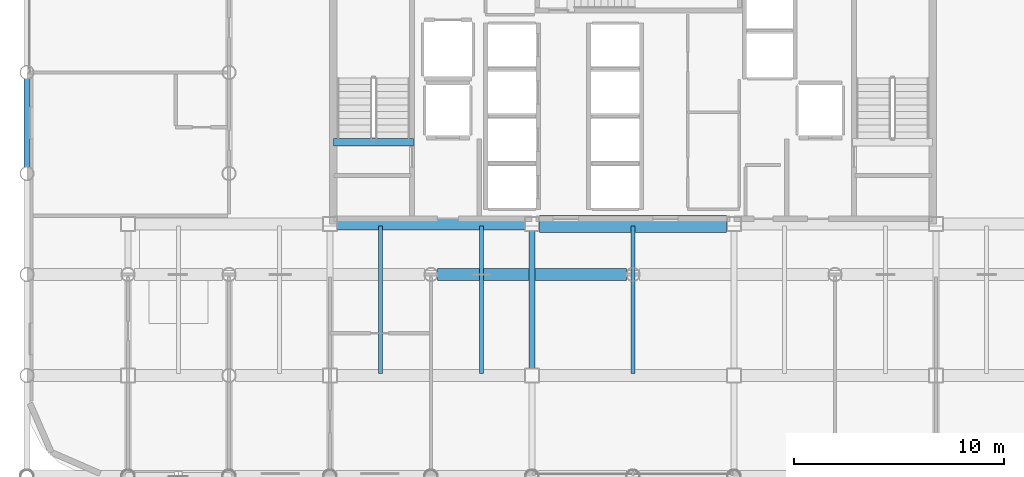
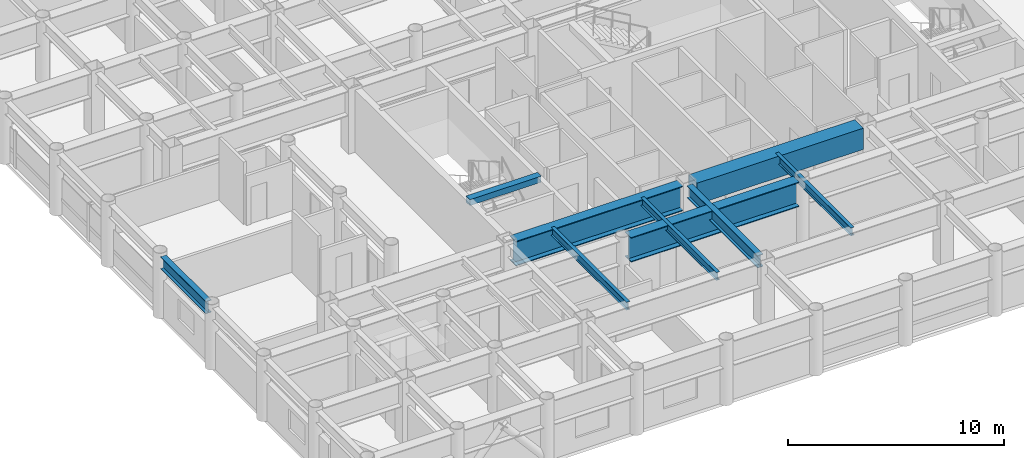
# One storey, part 4 of 22: 9 beams.
"""IFC4 building model written with IfcOpenShell, lengths in metres."""

from ifc_helpers import new_model, si_unit, direction, frame, origin, origin_2d, place, context, subcontext, project, spatial, rectangle, i_section, extrude, material, material_profile, profile_set, type_object, element, save


model = new_model("IFC4")

# Units and contexts
model_context = context("Model", 3, precision=1e-05, world=origin(), true_north=direction((0.0, 1.0)))
body_context = subcontext(model_context, "Body", "Model", "MODEL_VIEW")
ifc_project = project(units=[si_unit("LENGTHUNIT", "METRE"), si_unit("AREAUNIT", "SQUARE_METRE"), si_unit("VOLUMEUNIT", "CUBIC_METRE"), si_unit("PLANEANGLEUNIT", "RADIAN"), si_unit("MASSUNIT", "GRAM", prefix="KILO")], contexts=[model_context])

# Site, building, storey
site_placement = place(None, origin())
site = spatial("IfcSite", under=ifc_project, at=site_placement, CompositionType="ELEMENT")
building_placement = place(site_placement, origin())
building = spatial("IfcBuilding", under=site, at=building_placement, Name="Kallvorn Hotel Tower", CompositionType="ELEMENT")
storey_placement = place(building_placement, frame((0.0, 0.0, 95.199951171875)))
storey = spatial("IfcBuildingStorey", under=building, at=storey_placement, Name="L22", CompositionType="ELEMENT", Elevation=95.199951171875)

# Beams
ifc_material_1 = material(Name="Structural steel S355JR", Category="steel")
ifc_material_profile_1 = material_profile(ifc_material_1, i_section(OverallWidth=0.300048828125, OverallDepth=0.699951171875, WebThickness=0.01708984375, FlangeThickness=0.031982421875, at=origin_2d()), Name="HE 700 B")
ifc_profile_set_1 = profile_set([ifc_material_profile_1], Name="Structural steel S355JR")
beam_type_1 = type_object("IfcBeamType", Name="BM_HE700B", PredefinedType="BEAM", material=ifc_profile_set_1)
beam_1_placement = place(storey_placement, frame((-28.800048828125, -4.4951171875, 3.170166015625), z_axis=(0.0, 1.0, 0.0), x_axis=(-1.0, 0.0, 0.0)))
element("IfcBeam", 1, at=beam_1_placement, inside=storey, type_object=beam_type_1, Name="L23 Primary Y-Girder 76", PredefinedType="BEAM", context=body_context, shape_type="SweptSolid", body=[
    extrude(i_section(OverallWidth=0.300048828125, OverallDepth=0.699951171875, WebThickness=0.01708984375, FlangeThickness=0.031982421875, at=origin_2d()), origin(), (0.0, 0.0, 1.0), 4.190185546875),
])
beam_2_placement = place(storey_placement, frame((-4.800048828125, -14.074951171875, 3.170166015625), z_axis=(0.0, 1.0, 0.0), x_axis=(-1.0, 0.0, 0.0)))
element("IfcBeam", 2, at=beam_2_placement, inside=storey, type_object=beam_type_1, Name="L23 Primary Y-Girder 106", PredefinedType="BEAM", context=body_context, shape_type="SweptSolid", body=[
    extrude(i_section(OverallWidth=0.300048828125, OverallDepth=0.699951171875, WebThickness=0.01708984375, FlangeThickness=0.031982421875, at=origin_2d()), origin(), (0.0, 0.0, 1.0), 6.550048828125),
])
ifc_material_2 = material(Name="Structural steel S355JR", Category="steel")
ifc_material_profile_2 = material_profile(ifc_material_2, i_section(OverallWidth=0.18994140625, OverallDepth=0.449951171875, WebThickness=0.009521484375, FlangeThickness=0.0146484375, at=origin_2d()), Name="IPE 450")
ifc_profile_set_2 = profile_set([ifc_material_profile_2], Name="Structural steel S355JR")
beam_type_2 = type_object("IfcBeamType", Name="BM_IPE450", PredefinedType="JOIST", material=ifc_profile_set_2)
for number, where, z_axis, x_axis, name in (
    (3, (-12.0, -14.300048828125, 3.295166015625), (0.0, 1.0, 0.0), (-1.0, 0.0, 0.0), "L23 Secondary Composite Joist 196"),
    (4, (-7.199951171875, -14.300048828125, 3.295166015625), (0.0, 1.0, 0.0), (-1.0, 0.0, 0.0), "L23 Secondary Composite Joist 198"),
    (5, (0.0, -14.300048828125, 3.295166015625), (0.0, 1.0, 0.0), (-1.0, 0.0, 0.0), "L23 Secondary Composite Joist 200"),
):
    element("IfcBeam", number, at=place(storey_placement, frame(where, z_axis=z_axis, x_axis=x_axis)), inside=storey, type_object=beam_type_2, Name=name, PredefinedType="JOIST", context=body_context, shape_type="SweptSolid", body=[
        extrude(i_section(OverallWidth=0.18994140625, OverallDepth=0.449951171875, WebThickness=0.009521484375, FlangeThickness=0.0146484375, at=origin_2d()), origin(), (0.0, 0.0, 1.0), 7.0),
    ])
ifc_material_3 = material(Name="Structural steel S355JR", Category="steel")
ifc_material_profile_3 = material_profile(ifc_material_3, i_section(OverallWidth=0.550048828125, OverallDepth=1.39990234375, WebThickness=0.02490234375, FlangeThickness=0.044921875, at=origin_2d()), Name="PG 1400x550x25x45")
ifc_profile_set_3 = profile_set([ifc_material_profile_3], Name="Structural steel S355JR")
beam_type_3 = type_object("IfcBeamType", Name="BM_PG_1400", PredefinedType="BEAM", material=ifc_profile_set_3)
beam_3_placement = place(storey_placement, frame((-9.294921875, -9.60009765625, 2.820068359375), z_axis=(1.0, 0.0, 0.0), x_axis=(0.0, 1.0, 0.0)))
element("IfcBeam", 6, at=beam_3_placement, inside=storey, type_object=beam_type_3, Name="L23 Primary X-Girder 26", PredefinedType="BEAM", context=body_context, shape_type="SweptSolid", body=[
    extrude(i_section(OverallWidth=0.550048828125, OverallDepth=1.39990234375, WebThickness=0.02490234375, FlangeThickness=0.044921875, at=origin_2d()), origin(), (0.0, 0.0, 1.0), 8.989990234375),
])
beam_4_placement = place(storey_placement, frame((-14.074951171875, -7.199951171875, 2.820068359375), z_axis=(1.0, 0.0, 0.0), x_axis=(0.0, 1.0, 0.0)))
element("IfcBeam", 7, at=beam_4_placement, inside=storey, type_object=beam_type_3, Name="L23 Primary X-Girder 33", PredefinedType="BEAM", context=body_context, shape_type="SweptSolid", body=[
    extrude(i_section(OverallWidth=0.550048828125, OverallDepth=1.39990234375, WebThickness=0.02490234375, FlangeThickness=0.044921875, at=origin_2d()), origin(), (0.0, 0.0, 1.0), 8.949951171875),
])
ifc_material_4 = material(Name="Concrete C50/60", Category="concrete")
ifc_material_profile_4 = material_profile(ifc_material_4, rectangle(XDim=0.360107421875, YDim=0.340087890625, at=origin_2d()), Name="RC 360x340")
ifc_profile_set_4 = profile_set([ifc_material_profile_4], Name="Concrete C50/60")
beam_type_4 = type_object("IfcBeamType", Name="BM_RC_400x360", PredefinedType="BEAM", material=ifc_profile_set_4)
beam_5_placement = place(storey_placement, frame((-10.419921875, -3.31005859375, 3.35009765625), z_axis=(-1.0, 0.0, 0.0), x_axis=(0.0, -1.0, 0.0)))
element("IfcBeam", 8, at=beam_5_placement, inside=storey, type_object=beam_type_4, Name="L23 Stair ST1 Arrival Trimmer Beam", PredefinedType="BEAM", context=body_context, shape_type="SweptSolid", body=[
    extrude(rectangle(XDim=0.360107421875, YDim=0.340087890625, at=origin_2d()), origin(), (0.0, 0.0, 1.0), 3.820068359375),
])
ifc_material_5 = material(Name="Concrete C50/60", Category="concrete")
ifc_material_profile_5 = material_profile(ifc_material_5, rectangle(XDim=0.800048828125, YDim=1.199951171875, at=origin_2d()), Name="RC 800x1200")
ifc_profile_set_5 = profile_set([ifc_material_profile_5], Name="Concrete C50/60")
beam_type_5 = type_object("IfcBeamType", Name="BM_RC_800x1200", PredefinedType="T_BEAM", material=ifc_profile_set_5)
beam_6_placement = place(storey_placement, frame((-4.449951171875, -7.199951171875, 2.920166015625), z_axis=(1.0, 0.0, 0.0), x_axis=(0.0, 1.0, 0.0)))
element("IfcBeam", 9, at=beam_6_placement, inside=storey, type_object=beam_type_5, Name="L22 Core Coupling Beam South", PredefinedType="T_BEAM", context=body_context, shape_type="SweptSolid", body=[
    extrude(rectangle(XDim=0.800048828125, YDim=1.199951171875, at=origin_2d()), origin(), (0.0, 0.0, 1.0), 8.89990234375),
])

save(model, "model.ifc")
